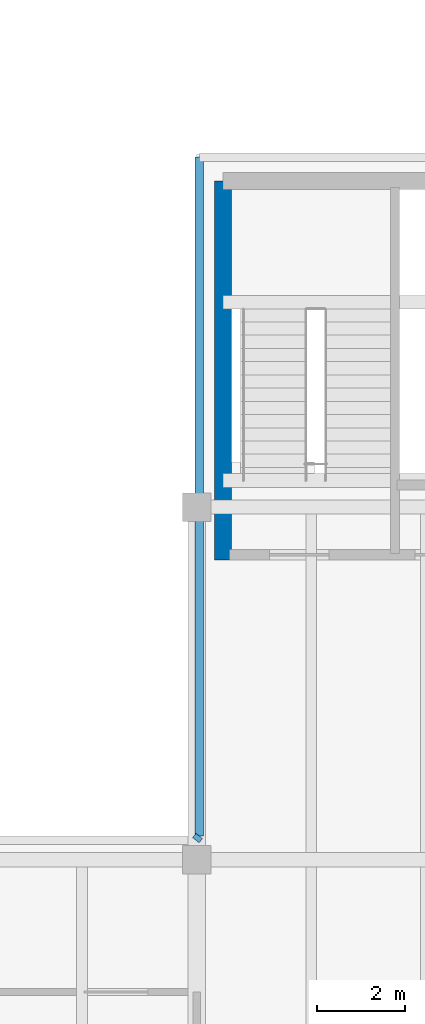
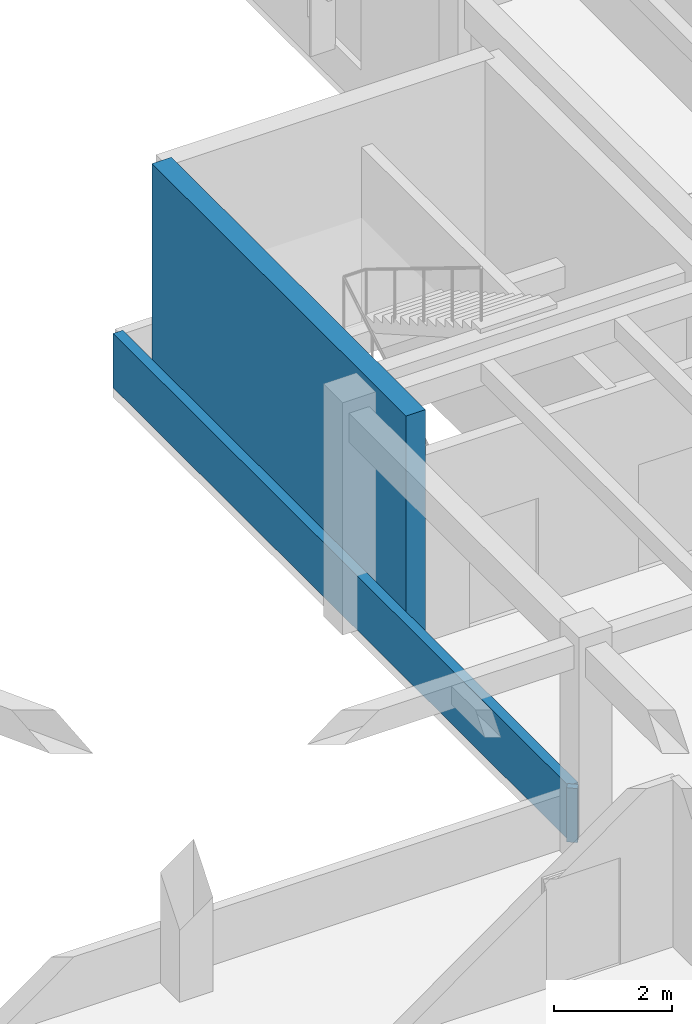
# One storey, part 88 of 105: 3 walls.
"""IFC4 building model written with IfcOpenShell, lengths in metres."""

from ifc_helpers import new_model, si_unit, direction, frame, frame_2d, origin, place, context, subcontext, project, spatial, rectangle, extrude, material, layer, layer_set, type_object, element, save


model = new_model("IFC4")

# Units and contexts
model_context = context("Model", 3, precision=1e-05, world=origin(), true_north=direction((0.0, 1.0)))
body_context = subcontext(model_context, "Body", "Model", "MODEL_VIEW")
ifc_project = project(units=[si_unit("LENGTHUNIT", "METRE"), si_unit("AREAUNIT", "SQUARE_METRE"), si_unit("VOLUMEUNIT", "CUBIC_METRE"), si_unit("PLANEANGLEUNIT", "RADIAN"), si_unit("MASSUNIT", "GRAM", prefix="KILO")], contexts=[model_context])

# Site, building, storey
site_placement = place(None, origin())
site = spatial("IfcSite", under=ifc_project, at=site_placement, CompositionType="ELEMENT")
building_placement = place(site_placement, origin())
building = spatial("IfcBuilding", under=site, at=building_placement, Name="Pelvatis Terrace Science Centre", CompositionType="ELEMENT")
storey_placement = place(building_placement, frame((0.0, 0.0, 10.199951171875)))
storey = spatial("IfcBuildingStorey", under=building, at=storey_placement, Name="L02", CompositionType="ELEMENT", Elevation=10.199951171875)

# Walls
ifc_material_1 = material(Name="White architectural precast concrete C40/50 spandrel parapet", Category="concrete")
ifc_layer_1 = layer(ifc_material_1, 0.18994140625)
ifc_layer_set_1 = layer_set([ifc_layer_1], Name="White architectural precast concrete C40/50 spandrel parapet")
wall_type_1 = type_object("IfcWallType", Name="WL-PAR-190", PredefinedType="PARAPET", material=ifc_layer_set_1)
wall_1_placement = place(storey_placement, frame((132.58251953125, 16.442626953125, 0.0), z_axis=(0.0, 0.0, 1.0), x_axis=(0.62205910192, 0.782970289167, 0.0)))
element("IfcWall", 1, at=wall_1_placement, inside=storey, type_object=wall_type_1, Name="Perimeter edge closure parapet PW-EDG-L02-244", PredefinedType="PARAPET", context=body_context, shape_type="SweptSolid", body=[
    extrude(rectangle(XDim=0.12451171875, YDim=0.18994140625, at=frame_2d((0.062255859375, 0.0))), origin(), (0.0, 0.0, 1.0), 1.1201171875),
])
wall_2_placement = place(storey_placement, frame((132.659912109375, 16.5400390625, 0.0), z_axis=(0.0, 0.0, 1.0), x_axis=(0.0, 1.0, 0.0)))
element("IfcWall", 2, at=wall_2_placement, inside=storey, type_object=wall_type_1, Name="Perimeter edge closure parapet PW-EDG-L02-245", PredefinedType="PARAPET", context=body_context, shape_type="SweptSolid", body=[
    extrude(rectangle(XDim=15.39990234375, YDim=0.18994140625, at=frame_2d((7.699951171875, 0.0))), origin(), (0.0, 0.0, 1.0), 1.1201171875),
])
ifc_material_2 = material(Name="Concrete C40/50", Category="concrete")
ifc_layer_2 = layer(ifc_material_2, 0.3798828125)
ifc_layer_set_2 = layer_set([ifc_layer_2], Name="Concrete C40/50")
wall_type_2 = type_object("IfcWallType", Name="WL-SHR-380", PredefinedType="SHEAR", material=ifc_layer_set_2)
wall_3_placement = place(storey_placement, frame((133.199951171875, 22.800048828125, 0.0), z_axis=(0.0, 0.0, 1.0), x_axis=(0.0, 1.0, 0.0)))
element("IfcWall", 3, at=wall_3_placement, inside=storey, type_object=wall_type_2, Name="Core C4 shear wall W (L02)", PredefinedType="SHEAR", context=body_context, shape_type="SweptSolid", body=[
    extrude(rectangle(XDim=8.599853515625, YDim=0.3798828125, at=frame_2d((4.2998046875, 0.0))), origin(), (0.0, 0.0, 1.0), 4.800048828125),
])

save(model, "model.ifc")
